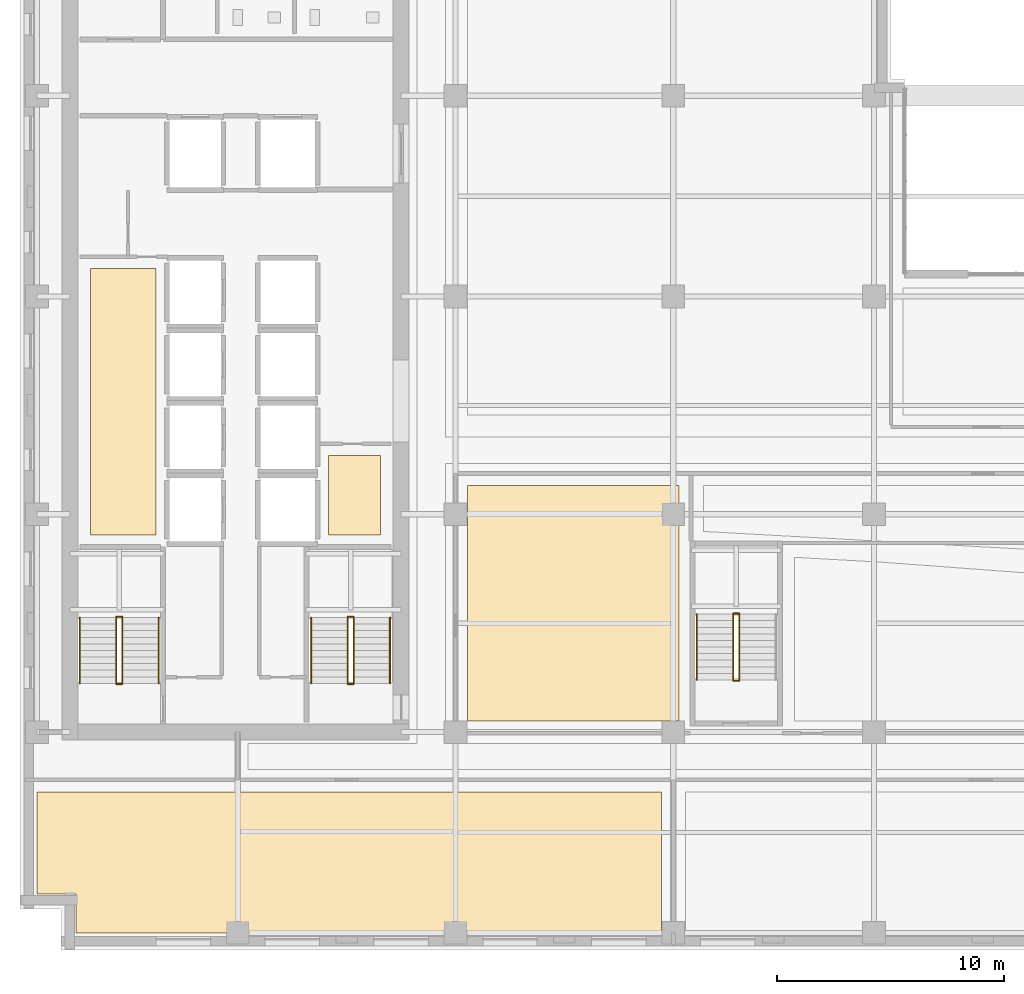
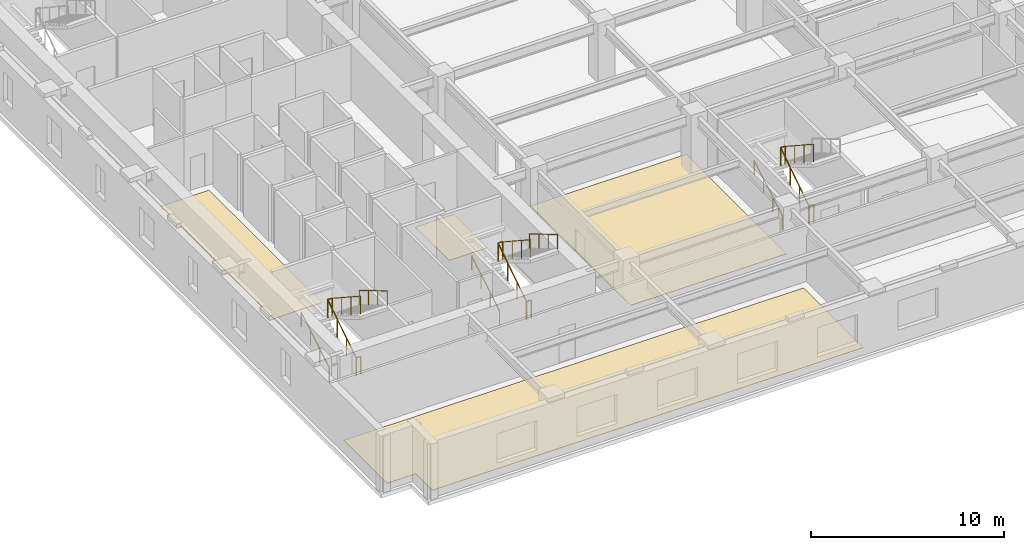
# One storey, part 10 of 14: 17 railings, 4 coverings.
"""IFC4 building model written with IfcOpenShell, lengths in metres."""

import ifcopenshell
import ifcopenshell.guid

model = None  # the IFC model being written
_history = None  # IfcOwnerHistory: only IFC2X3 demands one
_inside = {}  # id of a spatial element -> (the spatial element, [elements in it])
_under = {}  # id of a project, library or spatial element -> (it, [spatial elements below it])
_declared = {}  # id of a project -> (the project, [libraries it declares])
_typed = {}  # id of a type object -> (the type object, [elements of that type])
_made_of = {}  # id of a material, layer set ... -> (it, [elements and type objects made of it])


def new_model(schema):
    """Start an empty IFC model of exactly this schema.

    Asked for "IFC4X3", IfcOpenShell would pick the latest addendum, in which some entities
    have other attributes; the version numbers below select the first issue.
    IFC2X3 requires an IfcOwnerHistory on every rooted entity: one is made here for all.
    """
    global model, _history
    if schema == "IFC4X3":
        model = ifcopenshell.file(schema_version=(4, 3, 0, 0))
    else:
        model = ifcopenshell.file(schema=schema)
    _inside.clear()
    _under.clear()
    _declared.clear()
    _typed.clear()
    _made_of.clear()
    _history = None
    if model.schema == "IFC2X3":
        org = make("IfcOrganization", Name="unknown")
        user = make(
            "IfcPersonAndOrganization",
            ThePerson=make("IfcPerson", FamilyName="unknown"),
            TheOrganization=org,
        )
        app = make(
            "IfcApplication",
            ApplicationDeveloper=org,
            Version="unknown",
            ApplicationFullName="unknown",
            ApplicationIdentifier="unknown",
        )
        _history = make(
            "IfcOwnerHistory",
            OwningUser=user,
            OwningApplication=app,
            ChangeAction="ADDED",
            CreationDate=0,
        )
    return model


def make(cls, **values):
    """One entity of the class cls with the attributes given. An attribute that is None is left unset."""
    return model.create_entity(
        cls, **{name: value for name, value in values.items() if value is not None}
    )


def rooted(cls, **values):
    """An entity with a GlobalId (a new one), such as an element, a storey or a relation."""
    return make(cls, GlobalId=ifcopenshell.guid.new(), OwnerHistory=_history, **values)


def si_unit(unit_type, name, prefix=None):
    """IfcSIUnit, for example si_unit("LENGTHUNIT", "METRE", prefix="MILLI")."""
    return make("IfcSIUnit", UnitType=unit_type, Prefix=prefix, Name=name)


def assignment(units):
    """IfcUnitAssignment: the units of a project."""
    return None if units is None else make("IfcUnitAssignment", Units=units)


def point(xyz):
    """IfcCartesianPoint."""
    return None if xyz is None else make("IfcCartesianPoint", Coordinates=xyz)


def direction(xyz):
    """IfcDirection."""
    return None if xyz is None else make("IfcDirection", DirectionRatios=xyz)


def frame(location, z_axis=None, x_axis=None):
    """IfcAxis2Placement3D, a coordinate frame: its origin and axes. An axis left out is left unset."""
    return make(
        "IfcAxis2Placement3D",
        Location=point(location),
        Axis=direction(z_axis),
        RefDirection=direction(x_axis),
    )


def frame_2d(location, x_axis=None):
    """IfcAxis2Placement2D, a coordinate frame in the plane: its origin and x axis."""
    return make(
        "IfcAxis2Placement2D", Location=point(location), RefDirection=direction(x_axis)
    )


def origin():
    """The frame at (0, 0, 0) with its axes left unset."""
    return frame((0.0, 0.0, 0.0))


def origin_2d():
    """The frame at (0, 0) in the plane with its x axis left unset."""
    return frame_2d((0.0, 0.0))


def place(relative_to, where):
    """IfcLocalPlacement: puts the frame where relative to a parent placement (None: the world)."""
    return make(
        "IfcLocalPlacement", PlacementRelTo=relative_to, RelativePlacement=where
    )


def context(
    kind, dimensions, precision=None, world=None, true_north=None, identifier=None
):
    """IfcGeometricRepresentationContext, for example the 3D "Model" context."""
    return make(
        "IfcGeometricRepresentationContext",
        ContextIdentifier=identifier,
        ContextType=kind,
        CoordinateSpaceDimension=dimensions,
        Precision=precision,
        WorldCoordinateSystem=world,
        TrueNorth=true_north,
    )


def subcontext(parent, identifier, kind, view, scale=None):
    """IfcGeometricRepresentationSubContext, for example "Body" below "Model"."""
    return make(
        "IfcGeometricRepresentationSubContext",
        ContextIdentifier=identifier,
        ContextType=kind,
        ParentContext=parent,
        TargetScale=scale,
        TargetView=view,
    )


def project(units=None, contexts=None):
    """IfcProject with its units and contexts."""
    return rooted(
        "IfcProject",
        Name="project",
        RepresentationContexts=contexts,
        UnitsInContext=assignment(units),
    )


def spatial(cls, under=None, at=None, **own):
    """A site, building, storey or space (cls), placed at a placement, below another one or the project."""
    s = rooted(cls, ObjectPlacement=at, **own)
    if under is not None:
        _under.setdefault(under.id(), (under, []))[1].append(s)
    return s


def polyline(points):
    """IfcPolyline through the points."""
    return make("IfcPolyline", Points=[point(p) for p in points])


def profile(cls, at=None, kind="AREA", **sizes):
    """A parametric profile (cls). Its sizes go by their IFC names, for example OverallWidth=200.0."""
    return make(cls, ProfileType=kind, Position=at, **sizes)


def circle(**sizes):
    """IfcCircleProfileDef."""
    return profile("IfcCircleProfileDef", **sizes)


def outline(outer, holes=None, kind="AREA"):
    """IfcArbitraryClosedProfileDef: a profile drawn as a closed curve; with holes, ...WithVoids."""
    if holes is None:
        return make("IfcArbitraryClosedProfileDef", ProfileType=kind, OuterCurve=outer)
    return make(
        "IfcArbitraryProfileDefWithVoids",
        ProfileType=kind,
        OuterCurve=outer,
        InnerCurves=holes,
    )


def extrude(swept, where, along, depth):
    """IfcExtrudedAreaSolid: the profile swept, set in the frame where, extruded along a direction by depth."""
    return make(
        "IfcExtrudedAreaSolid",
        SweptArea=swept,
        Position=where,
        ExtrudedDirection=direction(along),
        Depth=depth,
    )


def shape(context_of_items, identifier, shape_type, items):
    """IfcShapeRepresentation: the items that make up one representation, for example the "Body"."""
    return make(
        "IfcShapeRepresentation",
        ContextOfItems=context_of_items,
        RepresentationIdentifier=identifier,
        RepresentationType=shape_type,
        Items=items,
    )


def material(Name=None, Category=None):
    """IfcMaterial."""
    return make("IfcMaterial", Name=Name, Category=Category)


def layer(
    of_material, thickness, ventilated=None, Name=None, Category=None, Priority=None
):
    """IfcMaterialLayer: one layer of a wall or slab, of a material (None: an air gap)."""
    return make(
        "IfcMaterialLayer",
        Material=of_material,
        LayerThickness=thickness,
        IsVentilated=ventilated,
        Name=Name,
        Category=Category,
        Priority=Priority,
    )


def layer_set(layers, Name=None):
    """IfcMaterialLayerSet."""
    return make("IfcMaterialLayerSet", MaterialLayers=layers, LayerSetName=Name)


def made_of(thing, what):
    """Note that an element or type object is made of a material, layer set ...; save() writes the relation."""
    if what is not None:
        _made_of.setdefault(what.id(), (what, []))[1].append(thing)
    return thing


def type_object(cls, material=None, **own):
    """A type object (cls), such as IfcWallType, which elements share."""
    return made_of(rooted(cls, **own), material)


def element(
    cls,
    number,
    at=None,
    inside=None,
    cuts=None,
    type_object=None,
    material=None,
    context=None,
    identifier="Body",
    shape_type=None,
    held_by="IfcProductDefinitionShape",
    body=None,
    shapes=None,
    **own,
):
    """One element of the class cls, such as IfcWall. Its Tag is "e" and its number.

    at: its placement. inside: the storey or other place that contains it. cuts: it is an
    opening in that element (IfcRelVoidsElement). A single representation is given by context,
    identifier, shape_type and body (its items); several are given by shapes. held_by: the class
    of the entity that holds the representations. save() writes the other relations.
    """
    e = rooted(cls, Tag="e%d" % number, ObjectPlacement=at, **own)
    if body is not None:
        shapes = [shape(context, identifier, shape_type, body)]
    if shapes is not None:
        e.Representation = make(held_by, Representations=shapes)
    if inside is not None:
        _inside.setdefault(inside.id(), (inside, []))[1].append(e)
    if cuts is not None:
        rooted(
            "IfcRelVoidsElement", RelatingBuildingElement=cuts, RelatedOpeningElement=e
        )
    if type_object is not None:
        _typed.setdefault(type_object.id(), (type_object, []))[1].append(e)
    return made_of(e, material)


def aggregate(whole, parts):
    """IfcRelAggregates: a whole, such as a stair, and the parts it consists of."""
    return rooted("IfcRelAggregates", RelatingObject=whole, RelatedObjects=parts)


def save(model, path):
    """Write the relations noted so far, then the file.

    IfcRelAggregates (storeys below a building ...), IfcRelContainedInSpatialStructure (elements
    in a storey), IfcRelDefinesByType, IfcRelAssociatesMaterial and IfcRelDeclares: one each for
    every whole, place, type object, material and project.
    """
    for whole, parts in _under.values():
        aggregate(whole, parts)
    for where, things in _inside.values():
        rooted(
            "IfcRelContainedInSpatialStructure",
            RelatedElements=things,
            RelatingStructure=where,
        )
    for kind, things in _typed.values():
        rooted("IfcRelDefinesByType", RelatedObjects=things, RelatingType=kind)
    for what, things in _made_of.values():
        rooted("IfcRelAssociatesMaterial", RelatedObjects=things, RelatingMaterial=what)
    for by, libraries in _declared.values():
        rooted("IfcRelDeclares", RelatingContext=by, RelatedDefinitions=libraries)
    model.write(path)


model = new_model("IFC4")

# Units and contexts
model_context = context("Model", 3, precision=1e-05, world=origin(), true_north=direction((0.0, 1.0)))
body_context = subcontext(model_context, "Body", "Model", "MODEL_VIEW")
ifc_project = project(units=[si_unit("LENGTHUNIT", "METRE"), si_unit("AREAUNIT", "SQUARE_METRE"), si_unit("VOLUMEUNIT", "CUBIC_METRE"), si_unit("PLANEANGLEUNIT", "RADIAN"), si_unit("MASSUNIT", "GRAM", prefix="KILO")], contexts=[model_context])

# Site, building, storey
site_placement = place(None, origin())
site = spatial("IfcSite", under=ifc_project, at=site_placement, CompositionType="ELEMENT")
building_placement = place(site_placement, origin())
building = spatial("IfcBuilding", under=site, at=building_placement, Name="Norrvale University Quadrangle", CompositionType="ELEMENT")
storey_placement = place(building_placement, frame((0.0, 0.0, 116.60009765625)))
storey = spatial("IfcBuildingStorey", under=building, at=storey_placement, Name="L29", CompositionType="ELEMENT", Elevation=116.60009765625)

# Coverings
ifc_material_1 = material(Name="Polished Terrazzo Flooring")
ifc_layer = layer(ifc_material_1, 0.02490234375, Name="Polished Terrazzo Flooring")
ifc_layer_set = layer_set([ifc_layer], Name="Polished Terrazzo Flooring")
covering_type = type_object("IfcCoveringType", Name="Covering Terrazzo Floor 30", PredefinedType="FLOORING", material=ifc_layer_set)
covering_1_placement = place(storey_placement, origin())
element("IfcCovering", 1, at=covering_1_placement, inside=storey, type_object=covering_type, Name="Terrazzo Flooring RM-L29-JAN", PredefinedType="FLOORING", context=body_context, shape_type="SweptSolid", body=[
    extrude(outline(polyline([(13.60009765625, 18.300048828125), (13.60009765625, 21.800048828125), (15.89990234375, 21.800048828125), (15.89990234375, 18.300048828125), (13.60009765625, 18.300048828125)])), origin(), (0.0, 0.0, 1.0), 0.02490234375),
])
covering_2_placement = place(storey_placement, origin())
element("IfcCovering", 2, at=covering_2_placement, inside=storey, type_object=covering_type, Name="Terrazzo Flooring RM-L29-WSTOR", PredefinedType="FLOORING", context=body_context, shape_type="SweptSolid", body=[
    extrude(outline(polyline([(3.10009765625, 18.300048828125), (3.10009765625, 30.030029296875), (6.0, 30.030029296875), (6.0, 18.300048828125), (3.10009765625, 18.300048828125)])), origin(), (0.0, 0.0, 1.0), 0.02490234375),
])
covering_3_placement = place(storey_placement, origin())
element("IfcCovering", 3, at=covering_3_placement, inside=storey, type_object=covering_type, Name="Terrazzo Flooring RM-L29-S01", PredefinedType="FLOORING", context=body_context, shape_type="SweptSolid", body=[
    extrude(outline(polyline([(28.27001953125, 6.969970703125), (28.27001953125, 0.75), (2.469970703125, 0.75), (2.469970703125, 2.469970703125), (0.75, 2.469970703125), (0.75, 6.969970703125), (28.27001953125, 6.969970703125)])), origin(), (0.0, 0.0, 1.0), 0.02490234375),
])
covering_4_placement = place(storey_placement, origin())
element("IfcCovering", 4, at=covering_4_placement, inside=storey, type_object=covering_type, Name="Terrazzo Flooring RM-L29-IW1", PredefinedType="FLOORING", context=body_context, shape_type="SweptSolid", body=[
    extrude(outline(polyline([(19.72998046875, 10.080078125), (19.72998046875, 20.469970703125), (29.050048828125, 20.469970703125), (29.050048828125, 10.080078125), (19.72998046875, 10.080078125)])), origin(), (0.0, 0.0, 1.0), 0.02490234375),
])

# Railings
ifc_material_2 = material(Name="Steel 350W Painted Balustrade", Category="steel")
railing_type_1 = type_object("IfcRailingType", Name="Railing Stair Guard 1100", PredefinedType="GUARDRAIL", material=ifc_material_2)
for number, where, name in (
    (5, (4.239990234375, 11.719970703125, 0.0), "Stair Floor Well Guard ST-01 L29"),
    (6, (4.239990234375, 14.679931640625, 1.89990234375), "Stair Mid-Landing Slot Guard ST-01 L29"),
):
    element("IfcRailing", number, at=place(storey_placement, frame(where)), inside=storey, type_object=railing_type_1, Name=name, PredefinedType="GUARDRAIL", context=body_context, shape_type="SweptSolid", body=[
        extrude(circle(Radius=0.02392578125, at=origin_2d()), frame((0.0, 0.0, 1.1259765625), z_axis=(1.0, 0.0, 0.0), x_axis=(0.0, 1.0, 0.0)), (0.0, 0.0, 1.0), 0.27001953125),
        extrude(circle(Radius=0.02099609375, at=origin_2d()), origin(), (0.0, 0.0, 1.0), 1.101806640625),
        extrude(circle(Radius=0.02099609375, at=origin_2d()), frame((0.27001953125, 0.0, 0.0)), (0.0, 0.0, 1.0), 1.101806640625),
    ])
railing_1_placement = place(storey_placement, frame((4.239990234375, 11.75, 0.0)))
element("IfcRailing", 7, at=railing_1_placement, inside=storey, type_object=railing_type_1, Name="Stair Lower Flight Inner Guard ST-01 L29", PredefinedType="GUARDRAIL", context=body_context, shape_type="SweptSolid", body=[
    extrude(circle(Radius=0.02392578125, at=origin_2d()), frame((0.0, 0.0, 1.1259765625), z_axis=(0.0, 0.836465582154, 0.548019461216), x_axis=(-1.0, 0.0, 0.0)), (0.0, 0.0, 1.0), 3.466796875),
    extrude(circle(Radius=0.02099609375, at=origin_2d()), origin(), (0.0, 0.0, 1.0), 1.101806640625),
    extrude(circle(Radius=0.02099609375, at=origin_2d()), frame((0.0, 0.966552734375, 0.63330078125)), (0.0, 0.0, 1.0), 1.101806640625),
    extrude(circle(Radius=0.02099609375, at=origin_2d()), frame((0.0, 1.933349609375, 1.2666015625)), (0.0, 0.0, 1.0), 1.101806640625),
    extrude(circle(Radius=0.02099609375, at=origin_2d()), frame((0.0, 2.89990234375, 1.89990234375)), (0.0, 0.0, 1.0), 1.101806640625),
])
railing_2_placement = place(storey_placement, frame((4.510009765625, 14.64990234375, 1.89990234375)))
element("IfcRailing", 8, at=railing_2_placement, inside=storey, type_object=railing_type_1, Name="Stair Upper Flight Inner Guard ST-01 L29", PredefinedType="GUARDRAIL", context=body_context, shape_type="SweptSolid", body=[
    extrude(circle(Radius=0.02392578125, at=origin_2d()), frame((0.0, 0.0, 1.1259765625), z_axis=(0.0, -0.836465582154, 0.548019461216), x_axis=(1.0, 0.0, 0.0)), (0.0, 0.0, 1.0), 3.466796875),
    extrude(circle(Radius=0.02099609375, at=origin_2d()), origin(), (0.0, 0.0, 1.0), 1.101806640625),
    extrude(circle(Radius=0.02099609375, at=origin_2d()), frame((0.0, -0.966552734375, 0.63330078125)), (0.0, 0.0, 1.0), 1.101806640625),
    extrude(circle(Radius=0.02099609375, at=origin_2d()), frame((0.0, -1.933349609375, 1.2666015625)), (0.0, 0.0, 1.0), 1.101806640625),
    extrude(circle(Radius=0.02099609375, at=origin_2d()), frame((0.0, -2.89990234375, 1.89990234375)), (0.0, 0.0, 1.0), 1.101806640625),
])
for number, where, name in (
    (9, (14.43994140625, 11.719970703125, 0.0), "Stair Floor Well Guard ST-03 L29"),
    (10, (14.43994140625, 14.679931640625, 1.89990234375), "Stair Mid-Landing Slot Guard ST-03 L29"),
):
    element("IfcRailing", number, at=place(storey_placement, frame(where)), inside=storey, type_object=railing_type_1, Name=name, PredefinedType="GUARDRAIL", context=body_context, shape_type="SweptSolid", body=[
        extrude(circle(Radius=0.02392578125, at=origin_2d()), frame((0.0, 0.0, 1.1259765625), z_axis=(1.0, 0.0, 0.0), x_axis=(0.0, 1.0, 0.0)), (0.0, 0.0, 1.0), 0.27001953125),
        extrude(circle(Radius=0.02099609375, at=origin_2d()), origin(), (0.0, 0.0, 1.0), 1.101806640625),
        extrude(circle(Radius=0.02099609375, at=origin_2d()), frame((0.27001953125, 0.0, 0.0)), (0.0, 0.0, 1.0), 1.101806640625),
    ])
railing_3_placement = place(storey_placement, frame((14.43994140625, 11.75, 0.0)))
element("IfcRailing", 11, at=railing_3_placement, inside=storey, type_object=railing_type_1, Name="Stair Lower Flight Inner Guard ST-03 L29", PredefinedType="GUARDRAIL", context=body_context, shape_type="SweptSolid", body=[
    extrude(circle(Radius=0.02392578125, at=origin_2d()), frame((0.0, 0.0, 1.1259765625), z_axis=(0.0, 0.836465582154, 0.548019461216), x_axis=(-1.0, 0.0, 0.0)), (0.0, 0.0, 1.0), 3.466796875),
    extrude(circle(Radius=0.02099609375, at=origin_2d()), origin(), (0.0, 0.0, 1.0), 1.101806640625),
    extrude(circle(Radius=0.02099609375, at=origin_2d()), frame((0.0, 0.966552734375, 0.63330078125)), (0.0, 0.0, 1.0), 1.101806640625),
    extrude(circle(Radius=0.02099609375, at=origin_2d()), frame((0.0, 1.933349609375, 1.2666015625)), (0.0, 0.0, 1.0), 1.101806640625),
    extrude(circle(Radius=0.02099609375, at=origin_2d()), frame((0.0, 2.89990234375, 1.89990234375)), (0.0, 0.0, 1.0), 1.101806640625),
])
railing_4_placement = place(storey_placement, frame((14.7099609375, 14.64990234375, 1.89990234375)))
element("IfcRailing", 12, at=railing_4_placement, inside=storey, type_object=railing_type_1, Name="Stair Upper Flight Inner Guard ST-03 L29", PredefinedType="GUARDRAIL", context=body_context, shape_type="SweptSolid", body=[
    extrude(circle(Radius=0.02392578125, at=origin_2d()), frame((0.0, 0.0, 1.1259765625), z_axis=(0.0, -0.836465582154, 0.548019461216), x_axis=(1.0, 0.0, 0.0)), (0.0, 0.0, 1.0), 3.466796875),
    extrude(circle(Radius=0.02099609375, at=origin_2d()), origin(), (0.0, 0.0, 1.0), 1.101806640625),
    extrude(circle(Radius=0.02099609375, at=origin_2d()), frame((0.0, -0.966552734375, 0.63330078125)), (0.0, 0.0, 1.0), 1.101806640625),
    extrude(circle(Radius=0.02099609375, at=origin_2d()), frame((0.0, -1.933349609375, 1.2666015625)), (0.0, 0.0, 1.0), 1.101806640625),
    extrude(circle(Radius=0.02099609375, at=origin_2d()), frame((0.0, -2.89990234375, 1.89990234375)), (0.0, 0.0, 1.0), 1.101806640625),
])
for number, where, name in (
    (13, (31.43994140625, 11.8701171875, 0.0), "Stair Floor Well Guard ST-04 L29"),
    (14, (31.43994140625, 14.830078125, 1.89990234375), "Stair Mid-Landing Slot Guard ST-04 L29"),
):
    element("IfcRailing", number, at=place(storey_placement, frame(where)), inside=storey, type_object=railing_type_1, Name=name, PredefinedType="GUARDRAIL", context=body_context, shape_type="SweptSolid", body=[
        extrude(circle(Radius=0.02392578125, at=origin_2d()), frame((0.0, 0.0, 1.1259765625), z_axis=(1.0, 0.0, 0.0), x_axis=(0.0, 1.0, 0.0)), (0.0, 0.0, 1.0), 0.27001953125),
        extrude(circle(Radius=0.02099609375, at=origin_2d()), origin(), (0.0, 0.0, 1.0), 1.101806640625),
        extrude(circle(Radius=0.02099609375, at=origin_2d()), frame((0.27001953125, 0.0, 0.0)), (0.0, 0.0, 1.0), 1.101806640625),
    ])
railing_5_placement = place(storey_placement, frame((31.43994140625, 11.89990234375, 0.0)))
element("IfcRailing", 15, at=railing_5_placement, inside=storey, type_object=railing_type_1, Name="Stair Lower Flight Inner Guard ST-04 L29", PredefinedType="GUARDRAIL", context=body_context, shape_type="SweptSolid", body=[
    extrude(circle(Radius=0.02392578125, at=origin_2d()), frame((0.0, 0.0, 1.1259765625), z_axis=(0.0, 0.836486729621, 0.547987181573), x_axis=(-1.0, 0.0, 0.0)), (0.0, 0.0, 1.0), 3.467041015625),
    extrude(circle(Radius=0.02099609375, at=origin_2d()), origin(), (0.0, 0.0, 1.0), 1.101806640625),
    extrude(circle(Radius=0.02099609375, at=origin_2d()), frame((0.0, 0.966796875, 0.63330078125)), (0.0, 0.0, 1.0), 1.101806640625),
    extrude(circle(Radius=0.02099609375, at=origin_2d()), frame((0.0, 1.933349609375, 1.2666015625)), (0.0, 0.0, 1.0), 1.101806640625),
    extrude(circle(Radius=0.02099609375, at=origin_2d()), frame((0.0, 2.900146484375, 1.89990234375)), (0.0, 0.0, 1.0), 1.101806640625),
])
railing_6_placement = place(storey_placement, frame((31.7099609375, 14.800048828125, 1.89990234375)))
element("IfcRailing", 16, at=railing_6_placement, inside=storey, type_object=railing_type_1, Name="Stair Upper Flight Inner Guard ST-04 L29", PredefinedType="GUARDRAIL", context=body_context, shape_type="SweptSolid", body=[
    extrude(circle(Radius=0.02392578125, at=origin_2d()), frame((0.0, 0.0, 1.1259765625), z_axis=(0.0, -0.836486729621, 0.547987181573), x_axis=(1.0, 0.0, 0.0)), (0.0, 0.0, 1.0), 3.467041015625),
    extrude(circle(Radius=0.02099609375, at=origin_2d()), origin(), (0.0, 0.0, 1.0), 1.101806640625),
    extrude(circle(Radius=0.02099609375, at=origin_2d()), frame((0.0, -0.966796875, 0.63330078125)), (0.0, 0.0, 1.0), 1.101806640625),
    extrude(circle(Radius=0.02099609375, at=origin_2d()), frame((0.0, -1.933349609375, 1.2666015625)), (0.0, 0.0, 1.0), 1.101806640625),
    extrude(circle(Radius=0.02099609375, at=origin_2d()), frame((0.0, -2.900146484375, 1.89990234375)), (0.0, 0.0, 1.0), 1.101806640625),
])
ifc_material_3 = material(Name="Stainless Steel 316L Handrail", Category="steel")
railing_type_2 = type_object("IfcRailingType", Name="Railing Stair Handrail 920", PredefinedType="HANDRAIL", material=ifc_material_3)
railing_7_placement = place(storey_placement, frame((2.639892578125, 11.75, 0.172607421875)))
element("IfcRailing", 17, at=railing_7_placement, inside=storey, type_object=railing_type_2, Name="Stair Lower Flight Handrail ST-01 L29", PredefinedType="HANDRAIL", context=body_context, shape_type="SweptSolid", body=[
    extrude(circle(Radius=0.02392578125, at=origin_2d()), frame((0.0, 0.0, 0.89599609375), z_axis=(0.0, 0.859141464434, 0.511738159696), x_axis=(-1.0, 0.0, 0.0)), (0.0, 0.0, 1.0), 3.375244140625),
    extrude(circle(Radius=0.02099609375, at=origin_2d()), origin(), (0.0, 0.0, 1.0), 0.871826171875),
    extrude(circle(Radius=0.02099609375, at=origin_2d()), frame((0.0, 0.966552734375, 0.57568359375)), (0.0, 0.0, 1.0), 0.871826171875),
    extrude(circle(Radius=0.02099609375, at=origin_2d()), frame((0.0, 1.933349609375, 1.151611328125)), (0.0, 0.0, 1.0), 0.871826171875),
    extrude(circle(Radius=0.02099609375, at=origin_2d()), frame((0.0, 2.89990234375, 1.727294921875)), (0.0, 0.0, 1.0), 0.871826171875),
])
railing_8_placement = place(storey_placement, frame((6.110107421875, 14.64990234375, 2.072509765625)))
element("IfcRailing", 18, at=railing_8_placement, inside=storey, type_object=railing_type_2, Name="Stair Upper Flight Handrail ST-01 L29", PredefinedType="HANDRAIL", context=body_context, shape_type="SweptSolid", body=[
    extrude(circle(Radius=0.02392578125, at=origin_2d()), frame((0.0, 0.0, 0.89599609375), z_axis=(0.0, -0.859141464434, 0.511738159696), x_axis=(1.0, 0.0, 0.0)), (0.0, 0.0, 1.0), 3.375244140625),
    extrude(circle(Radius=0.02099609375, at=origin_2d()), origin(), (0.0, 0.0, 1.0), 0.871826171875),
    extrude(circle(Radius=0.02099609375, at=origin_2d()), frame((0.0, -0.966552734375, 0.57568359375)), (0.0, 0.0, 1.0), 0.871826171875),
    extrude(circle(Radius=0.02099609375, at=origin_2d()), frame((0.0, -1.933349609375, 1.151611328125)), (0.0, 0.0, 1.0), 0.871826171875),
    extrude(circle(Radius=0.02099609375, at=origin_2d()), frame((0.0, -2.89990234375, 1.727294921875)), (0.0, 0.0, 1.0), 0.871826171875),
])
railing_9_placement = place(storey_placement, frame((12.840087890625, 11.75, 0.172607421875)))
element("IfcRailing", 19, at=railing_9_placement, inside=storey, type_object=railing_type_2, Name="Stair Lower Flight Handrail ST-03 L29", PredefinedType="HANDRAIL", context=body_context, shape_type="SweptSolid", body=[
    extrude(circle(Radius=0.02392578125, at=origin_2d()), frame((0.0, 0.0, 0.89599609375), z_axis=(0.0, 0.859141464434, 0.511738159696), x_axis=(-1.0, 0.0, 0.0)), (0.0, 0.0, 1.0), 3.375244140625),
    extrude(circle(Radius=0.02099609375, at=origin_2d()), origin(), (0.0, 0.0, 1.0), 0.871826171875),
    extrude(circle(Radius=0.02099609375, at=origin_2d()), frame((0.0, 0.966552734375, 0.57568359375)), (0.0, 0.0, 1.0), 0.871826171875),
    extrude(circle(Radius=0.02099609375, at=origin_2d()), frame((0.0, 1.933349609375, 1.151611328125)), (0.0, 0.0, 1.0), 0.871826171875),
    extrude(circle(Radius=0.02099609375, at=origin_2d()), frame((0.0, 2.89990234375, 1.727294921875)), (0.0, 0.0, 1.0), 0.871826171875),
])
railing_10_placement = place(storey_placement, frame((16.31005859375, 14.64990234375, 2.072509765625)))
element("IfcRailing", 20, at=railing_10_placement, inside=storey, type_object=railing_type_2, Name="Stair Upper Flight Handrail ST-03 L29", PredefinedType="HANDRAIL", context=body_context, shape_type="SweptSolid", body=[
    extrude(circle(Radius=0.02392578125, at=origin_2d()), frame((0.0, 0.0, 0.89599609375), z_axis=(0.0, -0.859141464434, 0.511738159696), x_axis=(1.0, 0.0, 0.0)), (0.0, 0.0, 1.0), 3.375244140625),
    extrude(circle(Radius=0.02099609375, at=origin_2d()), origin(), (0.0, 0.0, 1.0), 0.871826171875),
    extrude(circle(Radius=0.02099609375, at=origin_2d()), frame((0.0, -0.966552734375, 0.57568359375)), (0.0, 0.0, 1.0), 0.871826171875),
    extrude(circle(Radius=0.02099609375, at=origin_2d()), frame((0.0, -1.933349609375, 1.151611328125)), (0.0, 0.0, 1.0), 0.871826171875),
    extrude(circle(Radius=0.02099609375, at=origin_2d()), frame((0.0, -2.89990234375, 1.727294921875)), (0.0, 0.0, 1.0), 0.871826171875),
])
railing_11_placement = place(storey_placement, frame((29.840087890625, 11.89990234375, 0.172607421875)))
element("IfcRailing", 21, at=railing_11_placement, inside=storey, type_object=railing_type_2, Name="Stair Lower Flight Handrail ST-04 L29", PredefinedType="HANDRAIL", context=body_context, shape_type="SweptSolid", body=[
    extrude(circle(Radius=0.02392578125, at=origin_2d()), frame((0.0, 0.0, 0.89599609375), z_axis=(0.0, 0.859160404282, 0.51170636083), x_axis=(-1.0, 0.0, 0.0)), (0.0, 0.0, 1.0), 3.37548828125),
    extrude(circle(Radius=0.02099609375, at=origin_2d()), origin(), (0.0, 0.0, 1.0), 0.871826171875),
    extrude(circle(Radius=0.02099609375, at=origin_2d()), frame((0.0, 0.966796875, 0.57568359375)), (0.0, 0.0, 1.0), 0.871826171875),
    extrude(circle(Radius=0.02099609375, at=origin_2d()), frame((0.0, 1.933349609375, 1.151611328125)), (0.0, 0.0, 1.0), 0.871826171875),
    extrude(circle(Radius=0.02099609375, at=origin_2d()), frame((0.0, 2.900146484375, 1.727294921875)), (0.0, 0.0, 1.0), 0.871826171875),
])

save(model, "model.ifc")
